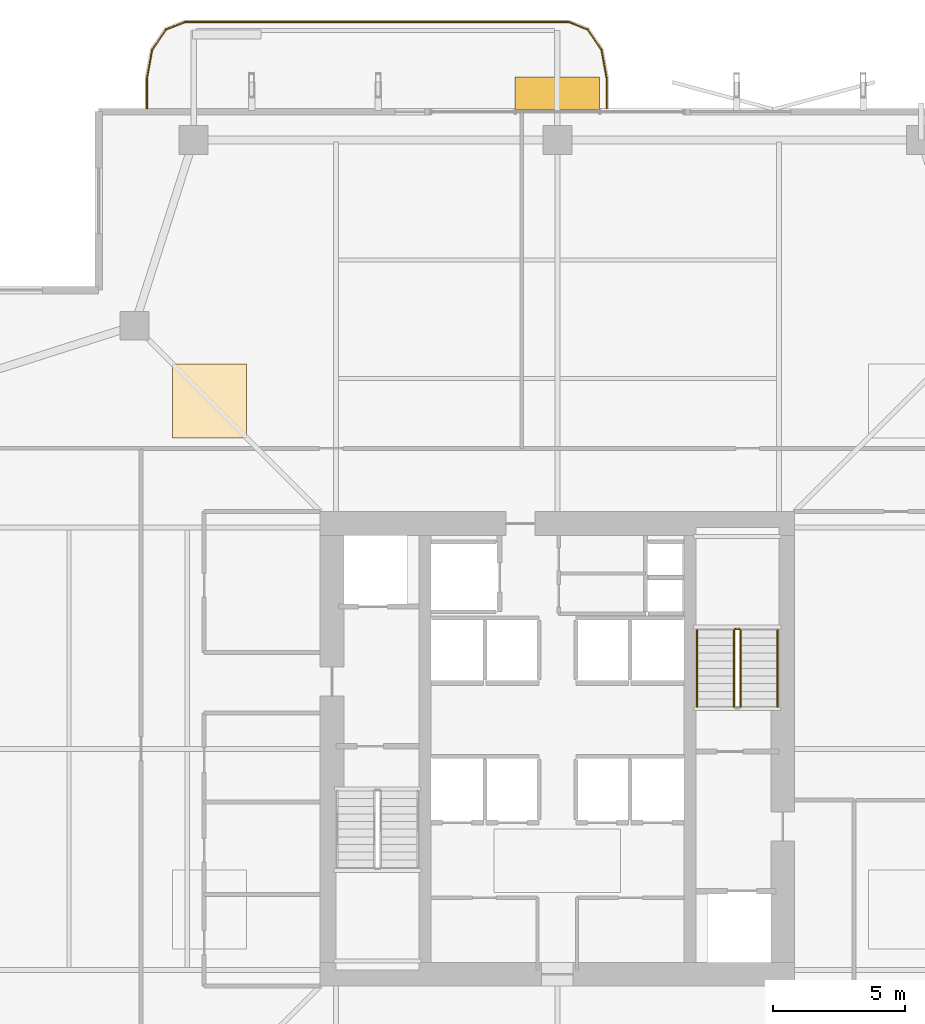
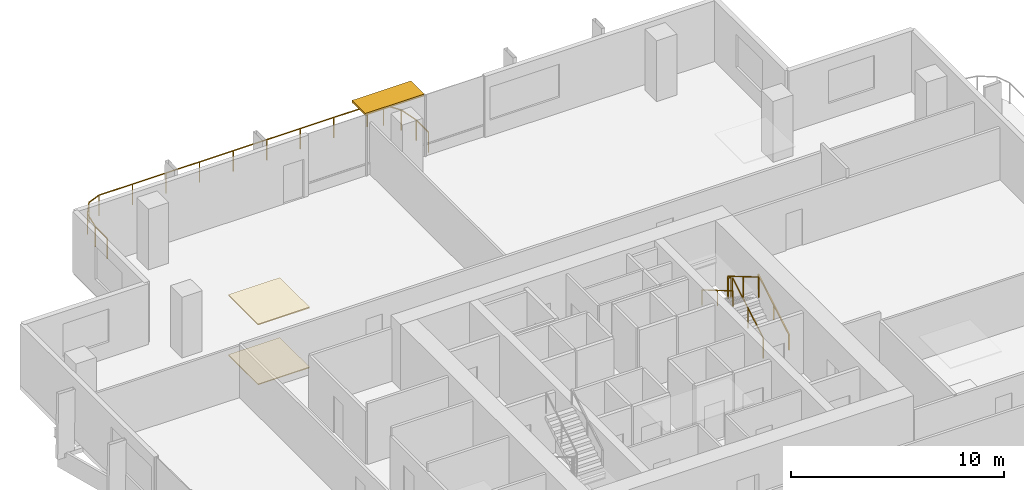
# One storey, part 24 of 25: 6 railings, 2 coverings, 1 shading device.
"""IFC4 building model written with IfcOpenShell, lengths in metres."""

from ifc_helpers import new_model, si_unit, direction, frame, origin, origin_2d, place, context, subcontext, project, spatial, polyline, rectangle, outline, extrude, material, layer, layer_set, type_object, element, save


model = new_model("IFC4")

# Units and contexts
model_context = context("Model", 3, precision=1e-05, world=origin(), true_north=direction((0.0, 1.0)))
body_context = subcontext(model_context, "Body", "Model", "MODEL_VIEW")
ifc_project = project(units=[si_unit("LENGTHUNIT", "METRE"), si_unit("AREAUNIT", "SQUARE_METRE"), si_unit("VOLUMEUNIT", "CUBIC_METRE"), si_unit("PLANEANGLEUNIT", "RADIAN"), si_unit("MASSUNIT", "GRAM", prefix="KILO")], contexts=[model_context])

# Site, building, storey
site_placement = place(None, origin())
site = spatial("IfcSite", under=ifc_project, at=site_placement, CompositionType="ELEMENT")
building_placement = place(site_placement, origin())
building = spatial("IfcBuilding", under=site, at=building_placement, Name="Belovzor Exchange Tower", CompositionType="ELEMENT")
storey_placement = place(building_placement, frame((0.0, 0.0, 175.800048828125)))
storey = spatial("IfcBuildingStorey", under=building, at=storey_placement, Name="L43", CompositionType="ELEMENT", Elevation=175.800048828125)

# Railings
ifc_material_1 = material(Name="Stainless Steel Grade 304", Category="steel")
railing_type_1 = type_object("IfcRailingType", Name="Brushed Stainless Steel Stair Handrail 900", PredefinedType="HANDRAIL", material=ifc_material_1)
railing_1_placement = place(storey_placement, frame((37.14990234375, 30.39990234375, 0.17041015625)))
element("IfcRailing", 1, at=railing_1_placement, inside=storey, type_object=railing_type_1, Name="L43 ST-2 stair handrail 1", PredefinedType="HANDRAIL", context=body_context, shape_type="SweptSolid", body=[
    extrude(rectangle(XDim=0.048095703125, YDim=0.048095703125, at=origin_2d()), frame((0.0, 0.0, 0.8759765625), z_axis=(0.0, 0.862113265706, 0.506715617574), x_axis=(-1.0, 0.0, 0.0)), (0.0, 0.0, 1.0), 3.364013671875),
    extrude(rectangle(XDim=0.0419921875, YDim=0.0419921875, at=origin_2d()), origin(), (0.0, 0.0, 1.0), 0.851806640625),
    extrude(rectangle(XDim=0.0419921875, YDim=0.0419921875, at=origin_2d()), frame((0.0, 1.4501953125, 0.852294921875)), (0.0, 0.0, 1.0), 0.851806640625),
    extrude(rectangle(XDim=0.0419921875, YDim=0.0419921875, at=origin_2d()), frame((0.0, 2.900146484375, 1.70458984375)), (0.0, 0.0, 1.0), 0.851806640625),
])
railing_2_placement = place(storey_placement, frame((34.10009765625, 33.300048828125, 2.04541015625)))
element("IfcRailing", 2, at=railing_2_placement, inside=storey, type_object=railing_type_1, Name="L43 ST-2 stair handrail 2", PredefinedType="HANDRAIL", context=body_context, shape_type="SweptSolid", body=[
    extrude(rectangle(XDim=0.048095703125, YDim=0.048095703125, at=origin_2d()), frame((0.0, 0.0, 0.8759765625), z_axis=(0.0, -0.862113265706, 0.506715617574), x_axis=(1.0, 0.0, 0.0)), (0.0, 0.0, 1.0), 3.364013671875),
    extrude(rectangle(XDim=0.0419921875, YDim=0.0419921875, at=origin_2d()), origin(), (0.0, 0.0, 1.0), 0.851806640625),
    extrude(rectangle(XDim=0.0419921875, YDim=0.0419921875, at=origin_2d()), frame((0.0, -1.4501953125, 0.852294921875)), (0.0, 0.0, 1.0), 0.851806640625),
    extrude(rectangle(XDim=0.0419921875, YDim=0.0419921875, at=origin_2d()), frame((0.0, -2.900146484375, 1.70458984375)), (0.0, 0.0, 1.0), 0.851806640625),
])
ifc_material_2 = material(Name="Stainless Steel and Laminated Safety Glass", Category="steel")
railing_type_2 = type_object("IfcRailingType", Name="Laminated Glass & Stainless Steel Balcony Balustrade 1200", PredefinedType="BALUSTRADE", material=ifc_material_2)
railing_3_placement = place(storey_placement, frame((30.669921875, 53.110107421875, 0.0)))
element("IfcRailing", 3, at=railing_3_placement, inside=storey, type_object=railing_type_2, Name="GR-1 Balcony Balustrade L43 North", PredefinedType="BALUSTRADE", context=body_context, shape_type="SweptSolid", body=[
    extrude(rectangle(XDim=0.048095703125, YDim=0.048095703125, at=origin_2d()), frame((0.0, 0.0, 1.17578125), z_axis=(0.0, 1.0, 0.0), x_axis=(-1.0, 0.0, 0.0)), (0.0, 0.0, 1.0), 1.1328125),
    extrude(rectangle(XDim=0.048095703125, YDim=0.048095703125, at=origin_2d()), frame((0.0, 1.1328125, 1.17578125), z_axis=(-0.180083182347, 0.983651385113, 0.0), x_axis=(-0.983651385113, -0.180083182347, 0.0)), (0.0, 0.0, 1.0), 1.093994140625),
    extrude(rectangle(XDim=0.048095703125, YDim=0.048095703125, at=origin_2d()), frame((-0.197021484375, 2.208984375, 1.17578125), z_axis=(-0.562768145367, 0.826614792125, 0.0), x_axis=(-0.826614792125, -0.562768145367, 0.0)), (0.0, 0.0, 1.0), 0.9326171875),
    extrude(rectangle(XDim=0.048095703125, YDim=0.048095703125, at=origin_2d()), frame((-0.721923828125, 2.97998046875, 1.17578125), z_axis=(-0.930766990125, 0.365612923861, 0.0), x_axis=(-0.365612923861, -0.930766990125, 0.0)), (0.0, 0.0, 1.0), 0.765869140625),
    extrude(rectangle(XDim=0.048095703125, YDim=0.048095703125, at=origin_2d()), frame((-1.434814453125, 3.260009765625, 1.17578125), z_axis=(-1.0, 0.0, 0.0), x_axis=(0.0, -1.0, 0.0)), (0.0, 0.0, 1.0), 14.570068359375),
    extrude(rectangle(XDim=0.048095703125, YDim=0.048095703125, at=origin_2d()), frame((-16.0048828125, 3.260009765625, 1.17578125), z_axis=(-0.930809580156, -0.365504480807, 0.0), x_axis=(0.365504480807, -0.930809580156, 0.0)), (0.0, 0.0, 1.0), 0.76611328125),
    extrude(rectangle(XDim=0.048095703125, YDim=0.048095703125, at=origin_2d()), frame((-16.718017578125, 2.97998046875, 1.17578125), z_axis=(-0.562768145367, -0.826614792125, 0.0), x_axis=(0.826614792125, -0.562768145367, 0.0)), (0.0, 0.0, 1.0), 0.9326171875),
    extrude(rectangle(XDim=0.048095703125, YDim=0.048095703125, at=origin_2d()), frame((-17.242919921875, 2.208984375, 1.17578125), z_axis=(-0.180083182347, -0.983651385113, 0.0), x_axis=(0.983651385113, -0.180083182347, 0.0)), (0.0, 0.0, 1.0), 1.093994140625),
    extrude(rectangle(XDim=0.048095703125, YDim=0.048095703125, at=origin_2d()), frame((-17.43994140625, 1.1328125, 1.17578125), z_axis=(0.0, -1.0, 0.0), x_axis=(1.0, 0.0, 0.0)), (0.0, 0.0, 1.0), 1.1328125),
    extrude(rectangle(XDim=0.0419921875, YDim=0.0419921875, at=origin_2d()), origin(), (0.0, 0.0, 1.0), 1.15185546875),
    extrude(rectangle(XDim=0.0419921875, YDim=0.0419921875, at=origin_2d()), frame((0.0, 1.1328125, 0.0)), (0.0, 0.0, 1.0), 1.15185546875),
    extrude(rectangle(XDim=0.0419921875, YDim=0.0419921875, at=origin_2d()), frame((-0.197021484375, 2.208984375, 0.0)), (0.0, 0.0, 1.0), 1.15185546875),
    extrude(rectangle(XDim=0.0419921875, YDim=0.0419921875, at=origin_2d()), frame((-0.721923828125, 2.97998046875, 0.0)), (0.0, 0.0, 1.0), 1.15185546875),
    extrude(rectangle(XDim=0.0419921875, YDim=0.0419921875, at=origin_2d()), frame((-1.434814453125, 3.260009765625, 0.0)), (0.0, 0.0, 1.0), 1.15185546875),
    extrude(rectangle(XDim=0.0419921875, YDim=0.0419921875, at=origin_2d()), frame((-3.256103515625, 3.260009765625, 0.0)), (0.0, 0.0, 1.0), 1.15185546875),
    extrude(rectangle(XDim=0.0419921875, YDim=0.0419921875, at=origin_2d()), frame((-5.077392578125, 3.260009765625, 0.0)), (0.0, 0.0, 1.0), 1.15185546875),
    extrude(rectangle(XDim=0.0419921875, YDim=0.0419921875, at=origin_2d()), frame((-6.898681640625, 3.260009765625, 0.0)), (0.0, 0.0, 1.0), 1.15185546875),
    extrude(rectangle(XDim=0.0419921875, YDim=0.0419921875, at=origin_2d()), frame((-8.7197265625, 3.260009765625, 0.0)), (0.0, 0.0, 1.0), 1.15185546875),
    extrude(rectangle(XDim=0.0419921875, YDim=0.0419921875, at=origin_2d()), frame((-10.541015625, 3.260009765625, 0.0)), (0.0, 0.0, 1.0), 1.15185546875),
    extrude(rectangle(XDim=0.0419921875, YDim=0.0419921875, at=origin_2d()), frame((-12.3623046875, 3.260009765625, 0.0)), (0.0, 0.0, 1.0), 1.15185546875),
    extrude(rectangle(XDim=0.0419921875, YDim=0.0419921875, at=origin_2d()), frame((-14.18359375, 3.260009765625, 0.0)), (0.0, 0.0, 1.0), 1.15185546875),
    extrude(rectangle(XDim=0.0419921875, YDim=0.0419921875, at=origin_2d()), frame((-16.0048828125, 3.260009765625, 0.0)), (0.0, 0.0, 1.0), 1.15185546875),
    extrude(rectangle(XDim=0.0419921875, YDim=0.0419921875, at=origin_2d()), frame((-16.718017578125, 2.97998046875, 0.0)), (0.0, 0.0, 1.0), 1.15185546875),
    extrude(rectangle(XDim=0.0419921875, YDim=0.0419921875, at=origin_2d()), frame((-17.242919921875, 2.208984375, 0.0)), (0.0, 0.0, 1.0), 1.15185546875),
    extrude(rectangle(XDim=0.0419921875, YDim=0.0419921875, at=origin_2d()), frame((-17.43994140625, 1.1328125, 0.0)), (0.0, 0.0, 1.0), 1.15185546875),
    extrude(rectangle(XDim=0.0419921875, YDim=0.0419921875, at=origin_2d()), frame((-17.43994140625, 0.0, 0.0)), (0.0, 0.0, 1.0), 1.15185546875),
])
ifc_material_3 = material(Name="Steel S355", Category="steel")
railing_type_3 = type_object("IfcRailingType", Name="Painted Steel Stairwell Guardrail 1200", PredefinedType="GUARDRAIL", material=ifc_material_3)
railing_4_placement = place(storey_placement, frame((35.75, 30.39990234375, 0.17041015625)))
element("IfcRailing", 4, at=railing_4_placement, inside=storey, type_object=railing_type_3, Name="L43 ST-2 stair guard 1", PredefinedType="GUARDRAIL", context=body_context, shape_type="SweptSolid", body=[
    extrude(rectangle(XDim=0.048095703125, YDim=0.048095703125, at=origin_2d()), frame((0.0, 0.0, 1.17578125), z_axis=(0.0, 0.862113265706, 0.506715617574), x_axis=(-1.0, 0.0, 0.0)), (0.0, 0.0, 1.0), 3.364013671875),
    extrude(rectangle(XDim=0.0419921875, YDim=0.0419921875, at=origin_2d()), origin(), (0.0, 0.0, 1.0), 1.15185546875),
    extrude(rectangle(XDim=0.0419921875, YDim=0.0419921875, at=origin_2d()), frame((0.0, 1.4501953125, 0.852294921875)), (0.0, 0.0, 1.0), 1.15185546875),
    extrude(rectangle(XDim=0.0419921875, YDim=0.0419921875, at=origin_2d()), frame((0.0, 2.900146484375, 1.70458984375)), (0.0, 0.0, 1.0), 1.15185546875),
])
railing_5_placement = place(storey_placement, frame((35.699951171875, 33.35009765625, 1.875)))
element("IfcRailing", 5, at=railing_5_placement, inside=storey, type_object=railing_type_3, Name="L43 ST-2 stair guard 2", PredefinedType="GUARDRAIL", context=body_context, shape_type="SweptSolid", body=[
    extrude(rectangle(XDim=0.048095703125, YDim=0.048095703125, at=origin_2d()), frame((0.0, 0.0, 1.17578125), z_axis=(-1.0, 0.0, 0.0), x_axis=(0.0, -1.0, 0.0)), (0.0, 0.0, 1.0), 0.14990234375),
    extrude(rectangle(XDim=0.0419921875, YDim=0.0419921875, at=origin_2d()), origin(), (0.0, 0.0, 1.0), 1.15185546875),
    extrude(rectangle(XDim=0.0419921875, YDim=0.0419921875, at=origin_2d()), frame((-0.14990234375, 0.0, 0.0)), (0.0, 0.0, 1.0), 1.15185546875),
])
railing_6_placement = place(storey_placement, frame((35.5, 33.300048828125, 2.04541015625)))
element("IfcRailing", 6, at=railing_6_placement, inside=storey, type_object=railing_type_3, Name="L43 ST-2 stair guard 3", PredefinedType="GUARDRAIL", context=body_context, shape_type="SweptSolid", body=[
    extrude(rectangle(XDim=0.048095703125, YDim=0.048095703125, at=origin_2d()), frame((0.0, 0.0, 1.17578125), z_axis=(0.0, -0.862113265706, 0.506715617574), x_axis=(1.0, 0.0, 0.0)), (0.0, 0.0, 1.0), 3.364013671875),
    extrude(rectangle(XDim=0.0419921875, YDim=0.0419921875, at=origin_2d()), origin(), (0.0, 0.0, 1.0), 1.15185546875),
    extrude(rectangle(XDim=0.0419921875, YDim=0.0419921875, at=origin_2d()), frame((0.0, -1.4501953125, 0.852294921875)), (0.0, 0.0, 1.0), 1.15185546875),
    extrude(rectangle(XDim=0.0419921875, YDim=0.0419921875, at=origin_2d()), frame((0.0, -2.900146484375, 1.70458984375)), (0.0, 0.0, 1.0), 1.15185546875),
])

# Coverings
ifc_material_4 = material(Name="Perforated Powder-Coated Aluminium", Category="aluminium")
ifc_layer_1 = layer(ifc_material_4, 0.06005859375)
ifc_layer_set_1 = layer_set([ifc_layer_1], Name="Perforated Powder-Coated Aluminium")
covering_type_1 = type_object("IfcCoveringType", Name="Perforated Acoustic Metal Tile Suspended Ceiling 60", PredefinedType="CEILING", material=ifc_layer_set_1)
covering_1_placement = place(storey_placement, frame((0.0, 0.0, 3.43505859375)))
element("IfcCovering", 7, at=covering_1_placement, inside=storey, type_object=covering_type_1, Name="CLG-AC60 Suspended Ceiling CLG-L43-Z2", PredefinedType="CEILING", context=body_context, shape_type="SweptSolid", body=[
    extrude(outline(polyline([(14.199951171875, 40.60009765625), (17.0, 40.60009765625), (17.0, 43.39990234375), (14.199951171875, 43.39990234375), (14.199951171875, 40.60009765625)])), origin(), (0.0, 0.0, 1.0), 0.059814453125),
])
ifc_material_5 = material(Name="Polished Natural Granite Tile", Category="masonry")
ifc_layer_2 = layer(ifc_material_5, 0.050048828125)
ifc_layer_set_2 = layer_set([ifc_layer_2], Name="Polished Natural Granite Tile")
covering_type_2 = type_object("IfcCoveringType", Name="Polished Karelian Granite & Raised Access Floor Finish 50", PredefinedType="FLOORING", material=ifc_layer_set_2)
covering_2_placement = place(storey_placement, origin())
element("IfcCovering", 8, at=covering_2_placement, inside=storey, type_object=covering_type_2, Name="FLR-GR50 Floor Finish FLR-L43-Z2", PredefinedType="FLOORING", context=body_context, shape_type="SweptSolid", body=[
    extrude(outline(polyline([(14.199951171875, 40.60009765625), (17.0, 40.60009765625), (17.0, 43.39990234375), (14.199951171875, 43.39990234375), (14.199951171875, 40.60009765625)])), origin(), (0.0, 0.0, 1.0), 0.050048828125),
])

# Shading device
ifc_material_6 = material(Name="Extruded Architectural Terracotta", Category="masonry")
ifc_layer_3 = layer(ifc_material_6, 0.1201171875)
ifc_layer_set_3 = layer_set([ifc_layer_3], Name="Extruded Architectural Terracotta")
shading_device_type = type_object("IfcShadingDeviceType", Name="Streamline Terracotta Horizontal Sunshade Hood 1250", PredefinedType="AWNING", material=ifc_layer_set_3)
shading_device_placement = place(storey_placement, frame((28.800048828125, 53.6650390625, 3.375), z_axis=(0.0, 0.0, 1.0), x_axis=(1.0, 0.0, 0.0)))
element("IfcShadingDevice", 9, at=shading_device_placement, inside=storey, type_object=shading_device_type, Name="SHD-TC125 Terracotta Sunshade L43 N", PredefinedType="AWNING", context=body_context, shape_type="SweptSolid", body=[
    extrude(rectangle(XDim=3.199951171875, YDim=1.25, at=origin_2d()), origin(), (0.0, 0.0, 1.0), 0.1201171875),
])

save(model, "model.ifc")
